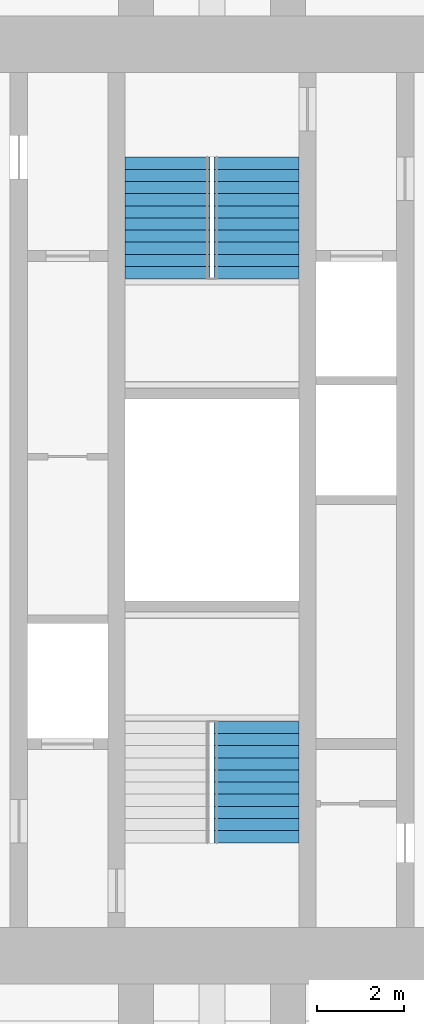
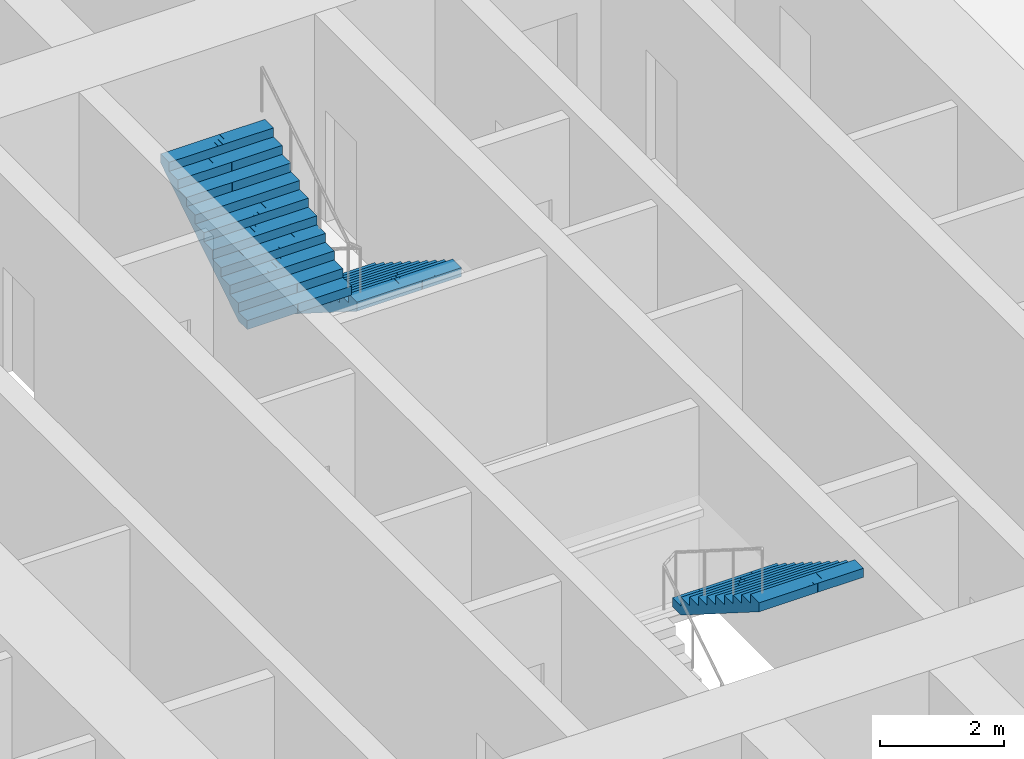
# One storey, part 16 of 17: 3 stair flights, 2 elements without a shape of their own.
"""IFC4 building model written with IfcOpenShell, lengths in metres."""

import ifcopenshell
import ifcopenshell.guid

model = None  # the IFC model being written
_history = None  # IfcOwnerHistory: only IFC2X3 demands one
_inside = {}  # id of a spatial element -> (the spatial element, [elements in it])
_under = {}  # id of a project, library or spatial element -> (it, [spatial elements below it])
_declared = {}  # id of a project -> (the project, [libraries it declares])
_typed = {}  # id of a type object -> (the type object, [elements of that type])
_made_of = {}  # id of a material, layer set ... -> (it, [elements and type objects made of it])


def new_model(schema):
    """Start an empty IFC model of exactly this schema.

    Asked for "IFC4X3", IfcOpenShell would pick the latest addendum, in which some entities
    have other attributes; the version numbers below select the first issue.
    IFC2X3 requires an IfcOwnerHistory on every rooted entity: one is made here for all.
    """
    global model, _history
    if schema == "IFC4X3":
        model = ifcopenshell.file(schema_version=(4, 3, 0, 0))
    else:
        model = ifcopenshell.file(schema=schema)
    _inside.clear()
    _under.clear()
    _declared.clear()
    _typed.clear()
    _made_of.clear()
    _history = None
    if model.schema == "IFC2X3":
        org = make("IfcOrganization", Name="unknown")
        user = make(
            "IfcPersonAndOrganization",
            ThePerson=make("IfcPerson", FamilyName="unknown"),
            TheOrganization=org,
        )
        app = make(
            "IfcApplication",
            ApplicationDeveloper=org,
            Version="unknown",
            ApplicationFullName="unknown",
            ApplicationIdentifier="unknown",
        )
        _history = make(
            "IfcOwnerHistory",
            OwningUser=user,
            OwningApplication=app,
            ChangeAction="ADDED",
            CreationDate=0,
        )
    return model


def make(cls, **values):
    """One entity of the class cls with the attributes given. An attribute that is None is left unset."""
    return model.create_entity(
        cls, **{name: value for name, value in values.items() if value is not None}
    )


def rooted(cls, **values):
    """An entity with a GlobalId (a new one), such as an element, a storey or a relation."""
    return make(cls, GlobalId=ifcopenshell.guid.new(), OwnerHistory=_history, **values)


def si_unit(unit_type, name, prefix=None):
    """IfcSIUnit, for example si_unit("LENGTHUNIT", "METRE", prefix="MILLI")."""
    return make("IfcSIUnit", UnitType=unit_type, Prefix=prefix, Name=name)


def assignment(units):
    """IfcUnitAssignment: the units of a project."""
    return None if units is None else make("IfcUnitAssignment", Units=units)


def point(xyz):
    """IfcCartesianPoint."""
    return None if xyz is None else make("IfcCartesianPoint", Coordinates=xyz)


def direction(xyz):
    """IfcDirection."""
    return None if xyz is None else make("IfcDirection", DirectionRatios=xyz)


def frame(location, z_axis=None, x_axis=None):
    """IfcAxis2Placement3D, a coordinate frame: its origin and axes. An axis left out is left unset."""
    return make(
        "IfcAxis2Placement3D",
        Location=point(location),
        Axis=direction(z_axis),
        RefDirection=direction(x_axis),
    )


def origin():
    """The frame at (0, 0, 0) with its axes left unset."""
    return frame((0.0, 0.0, 0.0))


def place(relative_to, where):
    """IfcLocalPlacement: puts the frame where relative to a parent placement (None: the world)."""
    return make(
        "IfcLocalPlacement", PlacementRelTo=relative_to, RelativePlacement=where
    )


def context(
    kind, dimensions, precision=None, world=None, true_north=None, identifier=None
):
    """IfcGeometricRepresentationContext, for example the 3D "Model" context."""
    return make(
        "IfcGeometricRepresentationContext",
        ContextIdentifier=identifier,
        ContextType=kind,
        CoordinateSpaceDimension=dimensions,
        Precision=precision,
        WorldCoordinateSystem=world,
        TrueNorth=true_north,
    )


def subcontext(parent, identifier, kind, view, scale=None):
    """IfcGeometricRepresentationSubContext, for example "Body" below "Model"."""
    return make(
        "IfcGeometricRepresentationSubContext",
        ContextIdentifier=identifier,
        ContextType=kind,
        ParentContext=parent,
        TargetScale=scale,
        TargetView=view,
    )


def project(units=None, contexts=None):
    """IfcProject with its units and contexts."""
    return rooted(
        "IfcProject",
        Name="project",
        RepresentationContexts=contexts,
        UnitsInContext=assignment(units),
    )


def spatial(cls, under=None, at=None, **own):
    """A site, building, storey or space (cls), placed at a placement, below another one or the project."""
    s = rooted(cls, ObjectPlacement=at, **own)
    if under is not None:
        _under.setdefault(under.id(), (under, []))[1].append(s)
    return s


def polyline(points):
    """IfcPolyline through the points."""
    return make("IfcPolyline", Points=[point(p) for p in points])


def outline(outer, holes=None, kind="AREA"):
    """IfcArbitraryClosedProfileDef: a profile drawn as a closed curve; with holes, ...WithVoids."""
    if holes is None:
        return make("IfcArbitraryClosedProfileDef", ProfileType=kind, OuterCurve=outer)
    return make(
        "IfcArbitraryProfileDefWithVoids",
        ProfileType=kind,
        OuterCurve=outer,
        InnerCurves=holes,
    )


def extrude(swept, where, along, depth):
    """IfcExtrudedAreaSolid: the profile swept, set in the frame where, extruded along a direction by depth."""
    return make(
        "IfcExtrudedAreaSolid",
        SweptArea=swept,
        Position=where,
        ExtrudedDirection=direction(along),
        Depth=depth,
    )


def shape(context_of_items, identifier, shape_type, items):
    """IfcShapeRepresentation: the items that make up one representation, for example the "Body"."""
    return make(
        "IfcShapeRepresentation",
        ContextOfItems=context_of_items,
        RepresentationIdentifier=identifier,
        RepresentationType=shape_type,
        Items=items,
    )


def material(Name=None, Category=None):
    """IfcMaterial."""
    return make("IfcMaterial", Name=Name, Category=Category)


def made_of(thing, what):
    """Note that an element or type object is made of a material, layer set ...; save() writes the relation."""
    if what is not None:
        _made_of.setdefault(what.id(), (what, []))[1].append(thing)
    return thing


def type_object(cls, material=None, **own):
    """A type object (cls), such as IfcWallType, which elements share."""
    return made_of(rooted(cls, **own), material)


def element(
    cls,
    number,
    at=None,
    inside=None,
    cuts=None,
    type_object=None,
    material=None,
    context=None,
    identifier="Body",
    shape_type=None,
    held_by="IfcProductDefinitionShape",
    body=None,
    shapes=None,
    **own,
):
    """One element of the class cls, such as IfcWall. Its Tag is "e" and its number.

    at: its placement. inside: the storey or other place that contains it. cuts: it is an
    opening in that element (IfcRelVoidsElement). A single representation is given by context,
    identifier, shape_type and body (its items); several are given by shapes. held_by: the class
    of the entity that holds the representations. save() writes the other relations.
    """
    e = rooted(cls, Tag="e%d" % number, ObjectPlacement=at, **own)
    if body is not None:
        shapes = [shape(context, identifier, shape_type, body)]
    if shapes is not None:
        e.Representation = make(held_by, Representations=shapes)
    if inside is not None:
        _inside.setdefault(inside.id(), (inside, []))[1].append(e)
    if cuts is not None:
        rooted(
            "IfcRelVoidsElement", RelatingBuildingElement=cuts, RelatedOpeningElement=e
        )
    if type_object is not None:
        _typed.setdefault(type_object.id(), (type_object, []))[1].append(e)
    return made_of(e, material)


def aggregate(whole, parts):
    """IfcRelAggregates: a whole, such as a stair, and the parts it consists of."""
    return rooted("IfcRelAggregates", RelatingObject=whole, RelatedObjects=parts)


def save(model, path):
    """Write the relations noted so far, then the file.

    IfcRelAggregates (storeys below a building ...), IfcRelContainedInSpatialStructure (elements
    in a storey), IfcRelDefinesByType, IfcRelAssociatesMaterial and IfcRelDeclares: one each for
    every whole, place, type object, material and project.
    """
    for whole, parts in _under.values():
        aggregate(whole, parts)
    for where, things in _inside.values():
        rooted(
            "IfcRelContainedInSpatialStructure",
            RelatedElements=things,
            RelatingStructure=where,
        )
    for kind, things in _typed.values():
        rooted("IfcRelDefinesByType", RelatedObjects=things, RelatingType=kind)
    for what, things in _made_of.values():
        rooted("IfcRelAssociatesMaterial", RelatedObjects=things, RelatingMaterial=what)
    for by, libraries in _declared.values():
        rooted("IfcRelDeclares", RelatingContext=by, RelatedDefinitions=libraries)
    model.write(path)


model = new_model("IFC4")

# Units and contexts
model_context = context("Model", 3, precision=1e-05, world=origin(), true_north=direction((0.0, 1.0)))
body_context = subcontext(model_context, "Body", "Model", "MODEL_VIEW")
ifc_project = project(units=[si_unit("LENGTHUNIT", "METRE"), si_unit("AREAUNIT", "SQUARE_METRE"), si_unit("VOLUMEUNIT", "CUBIC_METRE"), si_unit("PLANEANGLEUNIT", "RADIAN"), si_unit("MASSUNIT", "GRAM", prefix="KILO")], contexts=[model_context])

# Site, building, storey
site_placement = place(None, origin())
site = spatial("IfcSite", under=ifc_project, at=site_placement, CompositionType="ELEMENT")
building_placement = place(site_placement, origin())
building = spatial("IfcBuilding", under=site, at=building_placement, Name="Mizan Broadcast Tower", CompositionType="ELEMENT")
storey_placement = place(building_placement, frame((0.0, 0.0, 220.5)))
storey = spatial("IfcBuildingStorey", under=building, at=storey_placement, Name="L51", CompositionType="ELEMENT", Elevation=220.5)

# Stair, stair flight
ifc_material_1 = material(Name="Concrete C40/50", Category="concrete")
stair_type = type_object("IfcStairType", Name="EXIT STAIR", PredefinedType="HALF_TURN_STAIR", material=ifc_material_1)
stair_1_placement = place(storey_placement, origin())
stair_1 = element("IfcStair", 1, at=stair_1_placement, inside=storey, type_object=stair_type, Name="Stair A L51", PredefinedType="HALF_TURN_STAIR")
ifc_material_2 = material(Name="Concrete C40/50", Category="concrete")
stair_flight_type = type_object("IfcStairFlightType", Name="EXIT STAIR FLIGHT", PredefinedType="STRAIGHT", material=ifc_material_2)
stair_flight_1_placement = place(storey_placement, frame((1.02490234375, -5.10009765625, 1.949951171875), z_axis=(0.0, 0.0, 1.0), x_axis=(0.0, -1.0, 0.0)))
stair_flight_1 = element("IfcStairFlight", 2, at=stair_flight_1_placement, type_object=stair_flight_type, Name="A flight 2", NumberOfRisers=11, NumberOfTreads=10, PredefinedType="STRAIGHT", RiserHeight=0.177272727, TreadLength=0.28, context=body_context, shape_type="SweptSolid", body=[
    extrude(outline(polyline([(0.0, 0.0), (0.0, 0.17724609375), (0.280029296875, 0.17724609375), (0.280029296875, 0.3544921875), (0.56005859375, 0.3544921875), (0.56005859375, 0.53173828125), (0.840087890625, 0.53173828125), (0.840087890625, 0.708984375), (1.1201171875, 0.708984375), (1.1201171875, 0.886474609375), (1.39990234375, 0.886474609375), (1.39990234375, 1.063720703125), (1.679931640625, 1.063720703125), (1.679931640625, 1.240966796875), (1.9599609375, 1.240966796875), (1.9599609375, 1.418212890625), (2.239990234375, 1.418212890625), (2.239990234375, 1.595458984375), (2.52001953125, 1.595458984375), (2.52001953125, 1.772705078125), (2.800048828125, 1.772705078125), (2.800048828125, 1.949951171875), (2.800048828125, 1.59521484375), (0.2802734375, 0.0), (0.0, 0.0)])), frame((0.0, 0.97509765625, 0.0), z_axis=(0.0, -1.0, 0.0), x_axis=(1.0, 0.0, 0.0)), (0.0, 0.0, 1.0), 0.4873046875),
    extrude(outline(polyline([(0.0, 0.0), (0.0, 0.17724609375), (0.280029296875, 0.17724609375), (0.280029296875, 0.3544921875), (0.56005859375, 0.3544921875), (0.56005859375, 0.53173828125), (0.840087890625, 0.53173828125), (0.840087890625, 0.708984375), (1.1201171875, 0.708984375), (1.1201171875, 0.886474609375), (1.39990234375, 0.886474609375), (1.39990234375, 1.063720703125), (1.679931640625, 1.063720703125), (1.679931640625, 1.240966796875), (1.9599609375, 1.240966796875), (1.9599609375, 1.418212890625), (2.239990234375, 1.418212890625), (2.239990234375, 1.595458984375), (2.52001953125, 1.595458984375), (2.52001953125, 1.772705078125), (2.800048828125, 1.772705078125), (2.800048828125, 1.949951171875), (2.800048828125, 1.59521484375), (0.2802734375, 0.0), (0.0, 0.0)])), frame((0.0, 0.4873046875, 0.0), z_axis=(0.0, -1.0, 0.0), x_axis=(1.0, 0.0, 0.0)), (0.0, 0.0, 1.0), 0.2431640625),
    extrude(outline(polyline([(0.0, 0.0), (0.0, 0.17724609375), (0.280029296875, 0.17724609375), (0.280029296875, 0.3544921875), (0.56005859375, 0.3544921875), (0.56005859375, 0.53173828125), (0.840087890625, 0.53173828125), (0.840087890625, 0.708984375), (1.1201171875, 0.708984375), (1.1201171875, 0.886474609375), (1.39990234375, 0.886474609375), (1.39990234375, 1.063720703125), (1.679931640625, 1.063720703125), (1.679931640625, 1.240966796875), (1.9599609375, 1.240966796875), (1.9599609375, 1.418212890625), (2.239990234375, 1.418212890625), (2.239990234375, 1.595458984375), (2.52001953125, 1.595458984375), (2.52001953125, 1.772705078125), (2.800048828125, 1.772705078125), (2.800048828125, 1.949951171875), (2.800048828125, 1.59521484375), (0.2802734375, 0.0), (0.0, 0.0)])), frame((0.0, 0.24365234375, 0.0), z_axis=(0.0, -1.0, 0.0), x_axis=(1.0, 0.0, 0.0)), (0.0, 0.0, 1.0), 0.121337890625),
    extrude(outline(polyline([(0.0, 0.0), (0.0, 0.17724609375), (0.280029296875, 0.17724609375), (0.280029296875, 0.3544921875), (0.56005859375, 0.3544921875), (0.56005859375, 0.53173828125), (0.840087890625, 0.53173828125), (0.840087890625, 0.708984375), (1.1201171875, 0.708984375), (1.1201171875, 0.886474609375), (1.39990234375, 0.886474609375), (1.39990234375, 1.063720703125), (1.679931640625, 1.063720703125), (1.679931640625, 1.240966796875), (1.9599609375, 1.240966796875), (1.9599609375, 1.418212890625), (2.239990234375, 1.418212890625), (2.239990234375, 1.595458984375), (2.52001953125, 1.595458984375), (2.52001953125, 1.772705078125), (2.800048828125, 1.772705078125), (2.800048828125, 1.949951171875), (2.800048828125, 1.59521484375), (0.2802734375, 0.0), (0.0, 0.0)])), frame((0.0, 0.121826171875, 0.0), z_axis=(0.0, -1.0, 0.0), x_axis=(1.0, 0.0, 0.0)), (0.0, 0.0, 1.0), 0.060546875),
    extrude(outline(polyline([(0.0, 0.0), (0.0, 0.17724609375), (0.280029296875, 0.17724609375), (0.280029296875, 0.3544921875), (0.56005859375, 0.3544921875), (0.56005859375, 0.53173828125), (0.840087890625, 0.53173828125), (0.840087890625, 0.708984375), (1.1201171875, 0.708984375), (1.1201171875, 0.886474609375), (1.39990234375, 0.886474609375), (1.39990234375, 1.063720703125), (1.679931640625, 1.063720703125), (1.679931640625, 1.240966796875), (1.9599609375, 1.240966796875), (1.9599609375, 1.418212890625), (2.239990234375, 1.418212890625), (2.239990234375, 1.595458984375), (2.52001953125, 1.595458984375), (2.52001953125, 1.772705078125), (2.800048828125, 1.772705078125), (2.800048828125, 1.949951171875), (2.800048828125, 1.59521484375), (0.2802734375, 0.0), (0.0, 0.0)])), frame((0.0, 0.060791015625, 0.0), z_axis=(0.0, -1.0, 0.0), x_axis=(1.0, 0.0, 0.0)), (0.0, 0.0, 1.0), 0.030029296875),
    extrude(outline(polyline([(0.0, 0.0), (0.0, 0.17724609375), (0.280029296875, 0.17724609375), (0.280029296875, 0.3544921875), (0.56005859375, 0.3544921875), (0.56005859375, 0.53173828125), (0.840087890625, 0.53173828125), (0.840087890625, 0.708984375), (1.1201171875, 0.708984375), (1.1201171875, 0.886474609375), (1.39990234375, 0.886474609375), (1.39990234375, 1.063720703125), (1.679931640625, 1.063720703125), (1.679931640625, 1.240966796875), (1.9599609375, 1.240966796875), (1.9599609375, 1.418212890625), (2.239990234375, 1.418212890625), (2.239990234375, 1.595458984375), (2.52001953125, 1.595458984375), (2.52001953125, 1.772705078125), (2.800048828125, 1.772705078125), (2.800048828125, 1.949951171875), (2.800048828125, 1.59521484375), (0.2802734375, 0.0), (0.0, 0.0)])), frame((0.0, 0.0302734375, 0.0), z_axis=(0.0, -1.0, 0.0), x_axis=(1.0, 0.0, 0.0)), (0.0, 0.0, 1.0), 0.060302734375),
    extrude(outline(polyline([(0.0, 0.0), (0.0, 0.17724609375), (0.280029296875, 0.17724609375), (0.280029296875, 0.3544921875), (0.56005859375, 0.3544921875), (0.56005859375, 0.53173828125), (0.840087890625, 0.53173828125), (0.840087890625, 0.708984375), (1.1201171875, 0.708984375), (1.1201171875, 0.886474609375), (1.39990234375, 0.886474609375), (1.39990234375, 1.063720703125), (1.679931640625, 1.063720703125), (1.679931640625, 1.240966796875), (1.9599609375, 1.240966796875), (1.9599609375, 1.418212890625), (2.239990234375, 1.418212890625), (2.239990234375, 1.595458984375), (2.52001953125, 1.595458984375), (2.52001953125, 1.772705078125), (2.800048828125, 1.772705078125), (2.800048828125, 1.949951171875), (2.800048828125, 1.59521484375), (0.2802734375, 0.0), (0.0, 0.0)])), frame((0.0, -0.030517578125, 0.0), z_axis=(0.0, -1.0, 0.0), x_axis=(1.0, 0.0, 0.0)), (0.0, 0.0, 1.0), 0.030029296875),
    extrude(outline(polyline([(0.0, 0.0), (0.0, 0.17724609375), (0.280029296875, 0.17724609375), (0.280029296875, 0.3544921875), (0.56005859375, 0.3544921875), (0.56005859375, 0.53173828125), (0.840087890625, 0.53173828125), (0.840087890625, 0.708984375), (1.1201171875, 0.708984375), (1.1201171875, 0.886474609375), (1.39990234375, 0.886474609375), (1.39990234375, 1.063720703125), (1.679931640625, 1.063720703125), (1.679931640625, 1.240966796875), (1.9599609375, 1.240966796875), (1.9599609375, 1.418212890625), (2.239990234375, 1.418212890625), (2.239990234375, 1.595458984375), (2.52001953125, 1.595458984375), (2.52001953125, 1.772705078125), (2.800048828125, 1.772705078125), (2.800048828125, 1.949951171875), (2.800048828125, 1.59521484375), (0.2802734375, 0.0), (0.0, 0.0)])), frame((0.0, -0.06103515625, 0.0), z_axis=(0.0, -1.0, 0.0), x_axis=(1.0, 0.0, 0.0)), (0.0, 0.0, 1.0), 0.060546875),
    extrude(outline(polyline([(0.0, 0.0), (0.0, 0.17724609375), (0.280029296875, 0.17724609375), (0.280029296875, 0.3544921875), (0.56005859375, 0.3544921875), (0.56005859375, 0.53173828125), (0.840087890625, 0.53173828125), (0.840087890625, 0.708984375), (1.1201171875, 0.708984375), (1.1201171875, 0.886474609375), (1.39990234375, 0.886474609375), (1.39990234375, 1.063720703125), (1.679931640625, 1.063720703125), (1.679931640625, 1.240966796875), (1.9599609375, 1.240966796875), (1.9599609375, 1.418212890625), (2.239990234375, 1.418212890625), (2.239990234375, 1.595458984375), (2.52001953125, 1.595458984375), (2.52001953125, 1.772705078125), (2.800048828125, 1.772705078125), (2.800048828125, 1.949951171875), (2.800048828125, 1.59521484375), (0.2802734375, 0.0), (0.0, 0.0)])), frame((0.0, -0.1220703125, 0.0), z_axis=(0.0, -1.0, 0.0), x_axis=(1.0, 0.0, 0.0)), (0.0, 0.0, 1.0), 0.121337890625),
    extrude(outline(polyline([(0.0, 0.0), (0.0, 0.17724609375), (0.280029296875, 0.17724609375), (0.280029296875, 0.3544921875), (0.56005859375, 0.3544921875), (0.56005859375, 0.53173828125), (0.840087890625, 0.53173828125), (0.840087890625, 0.708984375), (1.1201171875, 0.708984375), (1.1201171875, 0.886474609375), (1.39990234375, 0.886474609375), (1.39990234375, 1.063720703125), (1.679931640625, 1.063720703125), (1.679931640625, 1.240966796875), (1.9599609375, 1.240966796875), (1.9599609375, 1.418212890625), (2.239990234375, 1.418212890625), (2.239990234375, 1.595458984375), (2.52001953125, 1.595458984375), (2.52001953125, 1.772705078125), (2.800048828125, 1.772705078125), (2.800048828125, 1.949951171875), (2.800048828125, 1.59521484375), (0.2802734375, 0.0), (0.0, 0.0)])), frame((0.0, -0.243896484375, 0.0), z_axis=(0.0, -1.0, 0.0), x_axis=(1.0, 0.0, 0.0)), (0.0, 0.0, 1.0), 0.2431640625),
    extrude(outline(polyline([(0.0, 0.0), (0.0, 0.17724609375), (0.280029296875, 0.17724609375), (0.280029296875, 0.3544921875), (0.56005859375, 0.3544921875), (0.56005859375, 0.53173828125), (0.840087890625, 0.53173828125), (0.840087890625, 0.708984375), (1.1201171875, 0.708984375), (1.1201171875, 0.886474609375), (1.39990234375, 0.886474609375), (1.39990234375, 1.063720703125), (1.679931640625, 1.063720703125), (1.679931640625, 1.240966796875), (1.9599609375, 1.240966796875), (1.9599609375, 1.418212890625), (2.239990234375, 1.418212890625), (2.239990234375, 1.595458984375), (2.52001953125, 1.595458984375), (2.52001953125, 1.772705078125), (2.800048828125, 1.772705078125), (2.800048828125, 1.949951171875), (2.800048828125, 1.59521484375), (0.2802734375, 0.0), (0.0, 0.0)])), frame((0.0, -0.487548828125, 0.0), z_axis=(0.0, -1.0, 0.0), x_axis=(1.0, 0.0, 0.0)), (0.0, 0.0, 1.0), 0.4873046875),
])
aggregate(stair_1, [stair_flight_1])

# Stair, stair flights
stair_2_placement = place(storey_placement, origin())
stair_2 = element("IfcStair", 3, at=stair_2_placement, inside=storey, type_object=stair_type, Name="Stair B L51", PredefinedType="HALF_TURN_STAIR")
stair_flight_2_placement = place(storey_placement, frame((1.02490234375, 7.89990234375, 0.0), z_axis=(0.0, 0.0, 1.0), x_axis=(0.0, -1.0, 0.0)))
stair_flight_2 = element("IfcStairFlight", 4, at=stair_flight_2_placement, type_object=stair_flight_type, Name="B flight 1", NumberOfRisers=11, NumberOfTreads=10, PredefinedType="STRAIGHT", RiserHeight=0.177272727, TreadLength=0.28, context=body_context, shape_type="SweptSolid", body=[
    extrude(outline(polyline([(0.0, 0.0), (0.0, 0.17724609375), (0.280029296875, 0.17724609375), (0.280029296875, 0.3544921875), (0.56005859375, 0.3544921875), (0.56005859375, 0.53173828125), (0.840087890625, 0.53173828125), (0.840087890625, 0.708984375), (1.1201171875, 0.708984375), (1.1201171875, 0.886474609375), (1.39990234375, 0.886474609375), (1.39990234375, 1.063720703125), (1.679931640625, 1.063720703125), (1.679931640625, 1.240966796875), (1.9599609375, 1.240966796875), (1.9599609375, 1.418212890625), (2.239990234375, 1.418212890625), (2.239990234375, 1.595458984375), (2.52001953125, 1.595458984375), (2.52001953125, 1.772705078125), (2.800048828125, 1.772705078125), (2.800048828125, 1.949951171875), (2.800048828125, 1.59521484375), (0.2802734375, 0.0), (0.0, 0.0)])), frame((0.0, 0.97509765625, 0.0), z_axis=(0.0, -1.0, 0.0), x_axis=(1.0, 0.0, 0.0)), (0.0, 0.0, 1.0), 0.4873046875),
    extrude(outline(polyline([(0.0, 0.0), (0.0, 0.17724609375), (0.280029296875, 0.17724609375), (0.280029296875, 0.3544921875), (0.56005859375, 0.3544921875), (0.56005859375, 0.53173828125), (0.840087890625, 0.53173828125), (0.840087890625, 0.708984375), (1.1201171875, 0.708984375), (1.1201171875, 0.886474609375), (1.39990234375, 0.886474609375), (1.39990234375, 1.063720703125), (1.679931640625, 1.063720703125), (1.679931640625, 1.240966796875), (1.9599609375, 1.240966796875), (1.9599609375, 1.418212890625), (2.239990234375, 1.418212890625), (2.239990234375, 1.595458984375), (2.52001953125, 1.595458984375), (2.52001953125, 1.772705078125), (2.800048828125, 1.772705078125), (2.800048828125, 1.949951171875), (2.800048828125, 1.59521484375), (0.2802734375, 0.0), (0.0, 0.0)])), frame((0.0, 0.4873046875, 0.0), z_axis=(0.0, -1.0, 0.0), x_axis=(1.0, 0.0, 0.0)), (0.0, 0.0, 1.0), 0.2431640625),
    extrude(outline(polyline([(0.0, 0.0), (0.0, 0.17724609375), (0.280029296875, 0.17724609375), (0.280029296875, 0.3544921875), (0.56005859375, 0.3544921875), (0.56005859375, 0.53173828125), (0.840087890625, 0.53173828125), (0.840087890625, 0.708984375), (1.1201171875, 0.708984375), (1.1201171875, 0.886474609375), (1.39990234375, 0.886474609375), (1.39990234375, 1.063720703125), (1.679931640625, 1.063720703125), (1.679931640625, 1.240966796875), (1.9599609375, 1.240966796875), (1.9599609375, 1.418212890625), (2.239990234375, 1.418212890625), (2.239990234375, 1.595458984375), (2.52001953125, 1.595458984375), (2.52001953125, 1.772705078125), (2.800048828125, 1.772705078125), (2.800048828125, 1.949951171875), (2.800048828125, 1.59521484375), (0.2802734375, 0.0), (0.0, 0.0)])), frame((0.0, 0.24365234375, 0.0), z_axis=(0.0, -1.0, 0.0), x_axis=(1.0, 0.0, 0.0)), (0.0, 0.0, 1.0), 0.121337890625),
    extrude(outline(polyline([(0.0, 0.0), (0.0, 0.17724609375), (0.280029296875, 0.17724609375), (0.280029296875, 0.3544921875), (0.56005859375, 0.3544921875), (0.56005859375, 0.53173828125), (0.840087890625, 0.53173828125), (0.840087890625, 0.708984375), (1.1201171875, 0.708984375), (1.1201171875, 0.886474609375), (1.39990234375, 0.886474609375), (1.39990234375, 1.063720703125), (1.679931640625, 1.063720703125), (1.679931640625, 1.240966796875), (1.9599609375, 1.240966796875), (1.9599609375, 1.418212890625), (2.239990234375, 1.418212890625), (2.239990234375, 1.595458984375), (2.52001953125, 1.595458984375), (2.52001953125, 1.772705078125), (2.800048828125, 1.772705078125), (2.800048828125, 1.949951171875), (2.800048828125, 1.59521484375), (0.2802734375, 0.0), (0.0, 0.0)])), frame((0.0, 0.121826171875, 0.0), z_axis=(0.0, -1.0, 0.0), x_axis=(1.0, 0.0, 0.0)), (0.0, 0.0, 1.0), 0.060546875),
    extrude(outline(polyline([(0.0, 0.0), (0.0, 0.17724609375), (0.280029296875, 0.17724609375), (0.280029296875, 0.3544921875), (0.56005859375, 0.3544921875), (0.56005859375, 0.53173828125), (0.840087890625, 0.53173828125), (0.840087890625, 0.708984375), (1.1201171875, 0.708984375), (1.1201171875, 0.886474609375), (1.39990234375, 0.886474609375), (1.39990234375, 1.063720703125), (1.679931640625, 1.063720703125), (1.679931640625, 1.240966796875), (1.9599609375, 1.240966796875), (1.9599609375, 1.418212890625), (2.239990234375, 1.418212890625), (2.239990234375, 1.595458984375), (2.52001953125, 1.595458984375), (2.52001953125, 1.772705078125), (2.800048828125, 1.772705078125), (2.800048828125, 1.949951171875), (2.800048828125, 1.59521484375), (0.2802734375, 0.0), (0.0, 0.0)])), frame((0.0, 0.060791015625, 0.0), z_axis=(0.0, -1.0, 0.0), x_axis=(1.0, 0.0, 0.0)), (0.0, 0.0, 1.0), 0.030029296875),
    extrude(outline(polyline([(0.0, 0.0), (0.0, 0.17724609375), (0.280029296875, 0.17724609375), (0.280029296875, 0.3544921875), (0.56005859375, 0.3544921875), (0.56005859375, 0.53173828125), (0.840087890625, 0.53173828125), (0.840087890625, 0.708984375), (1.1201171875, 0.708984375), (1.1201171875, 0.886474609375), (1.39990234375, 0.886474609375), (1.39990234375, 1.063720703125), (1.679931640625, 1.063720703125), (1.679931640625, 1.240966796875), (1.9599609375, 1.240966796875), (1.9599609375, 1.418212890625), (2.239990234375, 1.418212890625), (2.239990234375, 1.595458984375), (2.52001953125, 1.595458984375), (2.52001953125, 1.772705078125), (2.800048828125, 1.772705078125), (2.800048828125, 1.949951171875), (2.800048828125, 1.59521484375), (0.2802734375, 0.0), (0.0, 0.0)])), frame((0.0, 0.0302734375, 0.0), z_axis=(0.0, -1.0, 0.0), x_axis=(1.0, 0.0, 0.0)), (0.0, 0.0, 1.0), 0.060302734375),
    extrude(outline(polyline([(0.0, 0.0), (0.0, 0.17724609375), (0.280029296875, 0.17724609375), (0.280029296875, 0.3544921875), (0.56005859375, 0.3544921875), (0.56005859375, 0.53173828125), (0.840087890625, 0.53173828125), (0.840087890625, 0.708984375), (1.1201171875, 0.708984375), (1.1201171875, 0.886474609375), (1.39990234375, 0.886474609375), (1.39990234375, 1.063720703125), (1.679931640625, 1.063720703125), (1.679931640625, 1.240966796875), (1.9599609375, 1.240966796875), (1.9599609375, 1.418212890625), (2.239990234375, 1.418212890625), (2.239990234375, 1.595458984375), (2.52001953125, 1.595458984375), (2.52001953125, 1.772705078125), (2.800048828125, 1.772705078125), (2.800048828125, 1.949951171875), (2.800048828125, 1.59521484375), (0.2802734375, 0.0), (0.0, 0.0)])), frame((0.0, -0.030517578125, 0.0), z_axis=(0.0, -1.0, 0.0), x_axis=(1.0, 0.0, 0.0)), (0.0, 0.0, 1.0), 0.030029296875),
    extrude(outline(polyline([(0.0, 0.0), (0.0, 0.17724609375), (0.280029296875, 0.17724609375), (0.280029296875, 0.3544921875), (0.56005859375, 0.3544921875), (0.56005859375, 0.53173828125), (0.840087890625, 0.53173828125), (0.840087890625, 0.708984375), (1.1201171875, 0.708984375), (1.1201171875, 0.886474609375), (1.39990234375, 0.886474609375), (1.39990234375, 1.063720703125), (1.679931640625, 1.063720703125), (1.679931640625, 1.240966796875), (1.9599609375, 1.240966796875), (1.9599609375, 1.418212890625), (2.239990234375, 1.418212890625), (2.239990234375, 1.595458984375), (2.52001953125, 1.595458984375), (2.52001953125, 1.772705078125), (2.800048828125, 1.772705078125), (2.800048828125, 1.949951171875), (2.800048828125, 1.59521484375), (0.2802734375, 0.0), (0.0, 0.0)])), frame((0.0, -0.06103515625, 0.0), z_axis=(0.0, -1.0, 0.0), x_axis=(1.0, 0.0, 0.0)), (0.0, 0.0, 1.0), 0.060546875),
    extrude(outline(polyline([(0.0, 0.0), (0.0, 0.17724609375), (0.280029296875, 0.17724609375), (0.280029296875, 0.3544921875), (0.56005859375, 0.3544921875), (0.56005859375, 0.53173828125), (0.840087890625, 0.53173828125), (0.840087890625, 0.708984375), (1.1201171875, 0.708984375), (1.1201171875, 0.886474609375), (1.39990234375, 0.886474609375), (1.39990234375, 1.063720703125), (1.679931640625, 1.063720703125), (1.679931640625, 1.240966796875), (1.9599609375, 1.240966796875), (1.9599609375, 1.418212890625), (2.239990234375, 1.418212890625), (2.239990234375, 1.595458984375), (2.52001953125, 1.595458984375), (2.52001953125, 1.772705078125), (2.800048828125, 1.772705078125), (2.800048828125, 1.949951171875), (2.800048828125, 1.59521484375), (0.2802734375, 0.0), (0.0, 0.0)])), frame((0.0, -0.1220703125, 0.0), z_axis=(0.0, -1.0, 0.0), x_axis=(1.0, 0.0, 0.0)), (0.0, 0.0, 1.0), 0.121337890625),
    extrude(outline(polyline([(0.0, 0.0), (0.0, 0.17724609375), (0.280029296875, 0.17724609375), (0.280029296875, 0.3544921875), (0.56005859375, 0.3544921875), (0.56005859375, 0.53173828125), (0.840087890625, 0.53173828125), (0.840087890625, 0.708984375), (1.1201171875, 0.708984375), (1.1201171875, 0.886474609375), (1.39990234375, 0.886474609375), (1.39990234375, 1.063720703125), (1.679931640625, 1.063720703125), (1.679931640625, 1.240966796875), (1.9599609375, 1.240966796875), (1.9599609375, 1.418212890625), (2.239990234375, 1.418212890625), (2.239990234375, 1.595458984375), (2.52001953125, 1.595458984375), (2.52001953125, 1.772705078125), (2.800048828125, 1.772705078125), (2.800048828125, 1.949951171875), (2.800048828125, 1.59521484375), (0.2802734375, 0.0), (0.0, 0.0)])), frame((0.0, -0.243896484375, 0.0), z_axis=(0.0, -1.0, 0.0), x_axis=(1.0, 0.0, 0.0)), (0.0, 0.0, 1.0), 0.2431640625),
    extrude(outline(polyline([(0.0, 0.0), (0.0, 0.17724609375), (0.280029296875, 0.17724609375), (0.280029296875, 0.3544921875), (0.56005859375, 0.3544921875), (0.56005859375, 0.53173828125), (0.840087890625, 0.53173828125), (0.840087890625, 0.708984375), (1.1201171875, 0.708984375), (1.1201171875, 0.886474609375), (1.39990234375, 0.886474609375), (1.39990234375, 1.063720703125), (1.679931640625, 1.063720703125), (1.679931640625, 1.240966796875), (1.9599609375, 1.240966796875), (1.9599609375, 1.418212890625), (2.239990234375, 1.418212890625), (2.239990234375, 1.595458984375), (2.52001953125, 1.595458984375), (2.52001953125, 1.772705078125), (2.800048828125, 1.772705078125), (2.800048828125, 1.949951171875), (2.800048828125, 1.59521484375), (0.2802734375, 0.0), (0.0, 0.0)])), frame((0.0, -0.487548828125, 0.0), z_axis=(0.0, -1.0, 0.0), x_axis=(1.0, 0.0, 0.0)), (0.0, 0.0, 1.0), 0.4873046875),
])
stair_flight_3_placement = place(storey_placement, frame((-1.02490234375, 5.10009765625, 1.949951171875), z_axis=(0.0, 0.0, 1.0), x_axis=(0.0, 1.0, 0.0)))
stair_flight_3 = element("IfcStairFlight", 5, at=stair_flight_3_placement, type_object=stair_flight_type, Name="B flight 2", NumberOfRisers=11, NumberOfTreads=10, PredefinedType="STRAIGHT", RiserHeight=0.177272727, TreadLength=0.28, context=body_context, shape_type="SweptSolid", body=[
    extrude(outline(polyline([(0.0, 0.0), (0.0, 0.17724609375), (0.280029296875, 0.17724609375), (0.280029296875, 0.3544921875), (0.56005859375, 0.3544921875), (0.56005859375, 0.53173828125), (0.840087890625, 0.53173828125), (0.840087890625, 0.708984375), (1.1201171875, 0.708984375), (1.1201171875, 0.886474609375), (1.39990234375, 0.886474609375), (1.39990234375, 1.063720703125), (1.679931640625, 1.063720703125), (1.679931640625, 1.240966796875), (1.9599609375, 1.240966796875), (1.9599609375, 1.418212890625), (2.239990234375, 1.418212890625), (2.239990234375, 1.595458984375), (2.52001953125, 1.595458984375), (2.52001953125, 1.772705078125), (2.800048828125, 1.772705078125), (2.800048828125, 1.949951171875), (2.800048828125, 1.59521484375), (0.2802734375, 0.0), (0.0, 0.0)])), frame((0.0, 0.97509765625, 0.0), z_axis=(0.0, -1.0, 0.0), x_axis=(1.0, 0.0, 0.0)), (0.0, 0.0, 1.0), 0.4873046875),
    extrude(outline(polyline([(0.0, 0.0), (0.0, 0.17724609375), (0.280029296875, 0.17724609375), (0.280029296875, 0.3544921875), (0.56005859375, 0.3544921875), (0.56005859375, 0.53173828125), (0.840087890625, 0.53173828125), (0.840087890625, 0.708984375), (1.1201171875, 0.708984375), (1.1201171875, 0.886474609375), (1.39990234375, 0.886474609375), (1.39990234375, 1.063720703125), (1.679931640625, 1.063720703125), (1.679931640625, 1.240966796875), (1.9599609375, 1.240966796875), (1.9599609375, 1.418212890625), (2.239990234375, 1.418212890625), (2.239990234375, 1.595458984375), (2.52001953125, 1.595458984375), (2.52001953125, 1.772705078125), (2.800048828125, 1.772705078125), (2.800048828125, 1.949951171875), (2.800048828125, 1.59521484375), (0.2802734375, 0.0), (0.0, 0.0)])), frame((0.0, 0.4873046875, 0.0), z_axis=(0.0, -1.0, 0.0), x_axis=(1.0, 0.0, 0.0)), (0.0, 0.0, 1.0), 0.2431640625),
    extrude(outline(polyline([(0.0, 0.0), (0.0, 0.17724609375), (0.280029296875, 0.17724609375), (0.280029296875, 0.3544921875), (0.56005859375, 0.3544921875), (0.56005859375, 0.53173828125), (0.840087890625, 0.53173828125), (0.840087890625, 0.708984375), (1.1201171875, 0.708984375), (1.1201171875, 0.886474609375), (1.39990234375, 0.886474609375), (1.39990234375, 1.063720703125), (1.679931640625, 1.063720703125), (1.679931640625, 1.240966796875), (1.9599609375, 1.240966796875), (1.9599609375, 1.418212890625), (2.239990234375, 1.418212890625), (2.239990234375, 1.595458984375), (2.52001953125, 1.595458984375), (2.52001953125, 1.772705078125), (2.800048828125, 1.772705078125), (2.800048828125, 1.949951171875), (2.800048828125, 1.59521484375), (0.2802734375, 0.0), (0.0, 0.0)])), frame((0.0, 0.24365234375, 0.0), z_axis=(0.0, -1.0, 0.0), x_axis=(1.0, 0.0, 0.0)), (0.0, 0.0, 1.0), 0.121337890625),
    extrude(outline(polyline([(0.0, 0.0), (0.0, 0.17724609375), (0.280029296875, 0.17724609375), (0.280029296875, 0.3544921875), (0.56005859375, 0.3544921875), (0.56005859375, 0.53173828125), (0.840087890625, 0.53173828125), (0.840087890625, 0.708984375), (1.1201171875, 0.708984375), (1.1201171875, 0.886474609375), (1.39990234375, 0.886474609375), (1.39990234375, 1.063720703125), (1.679931640625, 1.063720703125), (1.679931640625, 1.240966796875), (1.9599609375, 1.240966796875), (1.9599609375, 1.418212890625), (2.239990234375, 1.418212890625), (2.239990234375, 1.595458984375), (2.52001953125, 1.595458984375), (2.52001953125, 1.772705078125), (2.800048828125, 1.772705078125), (2.800048828125, 1.949951171875), (2.800048828125, 1.59521484375), (0.2802734375, 0.0), (0.0, 0.0)])), frame((0.0, 0.121826171875, 0.0), z_axis=(0.0, -1.0, 0.0), x_axis=(1.0, 0.0, 0.0)), (0.0, 0.0, 1.0), 0.060546875),
    extrude(outline(polyline([(0.0, 0.0), (0.0, 0.17724609375), (0.280029296875, 0.17724609375), (0.280029296875, 0.3544921875), (0.56005859375, 0.3544921875), (0.56005859375, 0.53173828125), (0.840087890625, 0.53173828125), (0.840087890625, 0.708984375), (1.1201171875, 0.708984375), (1.1201171875, 0.886474609375), (1.39990234375, 0.886474609375), (1.39990234375, 1.063720703125), (1.679931640625, 1.063720703125), (1.679931640625, 1.240966796875), (1.9599609375, 1.240966796875), (1.9599609375, 1.418212890625), (2.239990234375, 1.418212890625), (2.239990234375, 1.595458984375), (2.52001953125, 1.595458984375), (2.52001953125, 1.772705078125), (2.800048828125, 1.772705078125), (2.800048828125, 1.949951171875), (2.800048828125, 1.59521484375), (0.2802734375, 0.0), (0.0, 0.0)])), frame((0.0, 0.060791015625, 0.0), z_axis=(0.0, -1.0, 0.0), x_axis=(1.0, 0.0, 0.0)), (0.0, 0.0, 1.0), 0.030029296875),
    extrude(outline(polyline([(0.0, 0.0), (0.0, 0.17724609375), (0.280029296875, 0.17724609375), (0.280029296875, 0.3544921875), (0.56005859375, 0.3544921875), (0.56005859375, 0.53173828125), (0.840087890625, 0.53173828125), (0.840087890625, 0.708984375), (1.1201171875, 0.708984375), (1.1201171875, 0.886474609375), (1.39990234375, 0.886474609375), (1.39990234375, 1.063720703125), (1.679931640625, 1.063720703125), (1.679931640625, 1.240966796875), (1.9599609375, 1.240966796875), (1.9599609375, 1.418212890625), (2.239990234375, 1.418212890625), (2.239990234375, 1.595458984375), (2.52001953125, 1.595458984375), (2.52001953125, 1.772705078125), (2.800048828125, 1.772705078125), (2.800048828125, 1.949951171875), (2.800048828125, 1.59521484375), (0.2802734375, 0.0), (0.0, 0.0)])), frame((0.0, 0.0302734375, 0.0), z_axis=(0.0, -1.0, 0.0), x_axis=(1.0, 0.0, 0.0)), (0.0, 0.0, 1.0), 0.060302734375),
    extrude(outline(polyline([(0.0, 0.0), (0.0, 0.17724609375), (0.280029296875, 0.17724609375), (0.280029296875, 0.3544921875), (0.56005859375, 0.3544921875), (0.56005859375, 0.53173828125), (0.840087890625, 0.53173828125), (0.840087890625, 0.708984375), (1.1201171875, 0.708984375), (1.1201171875, 0.886474609375), (1.39990234375, 0.886474609375), (1.39990234375, 1.063720703125), (1.679931640625, 1.063720703125), (1.679931640625, 1.240966796875), (1.9599609375, 1.240966796875), (1.9599609375, 1.418212890625), (2.239990234375, 1.418212890625), (2.239990234375, 1.595458984375), (2.52001953125, 1.595458984375), (2.52001953125, 1.772705078125), (2.800048828125, 1.772705078125), (2.800048828125, 1.949951171875), (2.800048828125, 1.59521484375), (0.2802734375, 0.0), (0.0, 0.0)])), frame((0.0, -0.030517578125, 0.0), z_axis=(0.0, -1.0, 0.0), x_axis=(1.0, 0.0, 0.0)), (0.0, 0.0, 1.0), 0.030029296875),
    extrude(outline(polyline([(0.0, 0.0), (0.0, 0.17724609375), (0.280029296875, 0.17724609375), (0.280029296875, 0.3544921875), (0.56005859375, 0.3544921875), (0.56005859375, 0.53173828125), (0.840087890625, 0.53173828125), (0.840087890625, 0.708984375), (1.1201171875, 0.708984375), (1.1201171875, 0.886474609375), (1.39990234375, 0.886474609375), (1.39990234375, 1.063720703125), (1.679931640625, 1.063720703125), (1.679931640625, 1.240966796875), (1.9599609375, 1.240966796875), (1.9599609375, 1.418212890625), (2.239990234375, 1.418212890625), (2.239990234375, 1.595458984375), (2.52001953125, 1.595458984375), (2.52001953125, 1.772705078125), (2.800048828125, 1.772705078125), (2.800048828125, 1.949951171875), (2.800048828125, 1.59521484375), (0.2802734375, 0.0), (0.0, 0.0)])), frame((0.0, -0.06103515625, 0.0), z_axis=(0.0, -1.0, 0.0), x_axis=(1.0, 0.0, 0.0)), (0.0, 0.0, 1.0), 0.060546875),
    extrude(outline(polyline([(0.0, 0.0), (0.0, 0.17724609375), (0.280029296875, 0.17724609375), (0.280029296875, 0.3544921875), (0.56005859375, 0.3544921875), (0.56005859375, 0.53173828125), (0.840087890625, 0.53173828125), (0.840087890625, 0.708984375), (1.1201171875, 0.708984375), (1.1201171875, 0.886474609375), (1.39990234375, 0.886474609375), (1.39990234375, 1.063720703125), (1.679931640625, 1.063720703125), (1.679931640625, 1.240966796875), (1.9599609375, 1.240966796875), (1.9599609375, 1.418212890625), (2.239990234375, 1.418212890625), (2.239990234375, 1.595458984375), (2.52001953125, 1.595458984375), (2.52001953125, 1.772705078125), (2.800048828125, 1.772705078125), (2.800048828125, 1.949951171875), (2.800048828125, 1.59521484375), (0.2802734375, 0.0), (0.0, 0.0)])), frame((0.0, -0.1220703125, 0.0), z_axis=(0.0, -1.0, 0.0), x_axis=(1.0, 0.0, 0.0)), (0.0, 0.0, 1.0), 0.121337890625),
    extrude(outline(polyline([(0.0, 0.0), (0.0, 0.17724609375), (0.280029296875, 0.17724609375), (0.280029296875, 0.3544921875), (0.56005859375, 0.3544921875), (0.56005859375, 0.53173828125), (0.840087890625, 0.53173828125), (0.840087890625, 0.708984375), (1.1201171875, 0.708984375), (1.1201171875, 0.886474609375), (1.39990234375, 0.886474609375), (1.39990234375, 1.063720703125), (1.679931640625, 1.063720703125), (1.679931640625, 1.240966796875), (1.9599609375, 1.240966796875), (1.9599609375, 1.418212890625), (2.239990234375, 1.418212890625), (2.239990234375, 1.595458984375), (2.52001953125, 1.595458984375), (2.52001953125, 1.772705078125), (2.800048828125, 1.772705078125), (2.800048828125, 1.949951171875), (2.800048828125, 1.59521484375), (0.2802734375, 0.0), (0.0, 0.0)])), frame((0.0, -0.243896484375, 0.0), z_axis=(0.0, -1.0, 0.0), x_axis=(1.0, 0.0, 0.0)), (0.0, 0.0, 1.0), 0.2431640625),
    extrude(outline(polyline([(0.0, 0.0), (0.0, 0.17724609375), (0.280029296875, 0.17724609375), (0.280029296875, 0.3544921875), (0.56005859375, 0.3544921875), (0.56005859375, 0.53173828125), (0.840087890625, 0.53173828125), (0.840087890625, 0.708984375), (1.1201171875, 0.708984375), (1.1201171875, 0.886474609375), (1.39990234375, 0.886474609375), (1.39990234375, 1.063720703125), (1.679931640625, 1.063720703125), (1.679931640625, 1.240966796875), (1.9599609375, 1.240966796875), (1.9599609375, 1.418212890625), (2.239990234375, 1.418212890625), (2.239990234375, 1.595458984375), (2.52001953125, 1.595458984375), (2.52001953125, 1.772705078125), (2.800048828125, 1.772705078125), (2.800048828125, 1.949951171875), (2.800048828125, 1.59521484375), (0.2802734375, 0.0), (0.0, 0.0)])), frame((0.0, -0.487548828125, 0.0), z_axis=(0.0, -1.0, 0.0), x_axis=(1.0, 0.0, 0.0)), (0.0, 0.0, 1.0), 0.4873046875),
])
aggregate(stair_2, [stair_flight_2, stair_flight_3])

save(model, "model.ifc")
